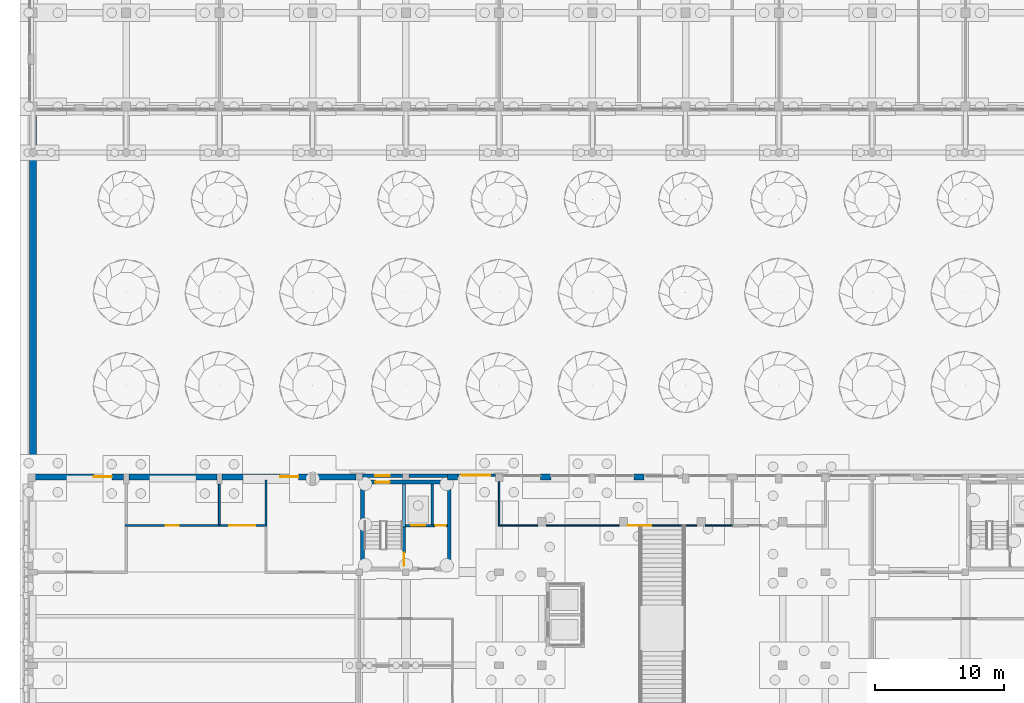
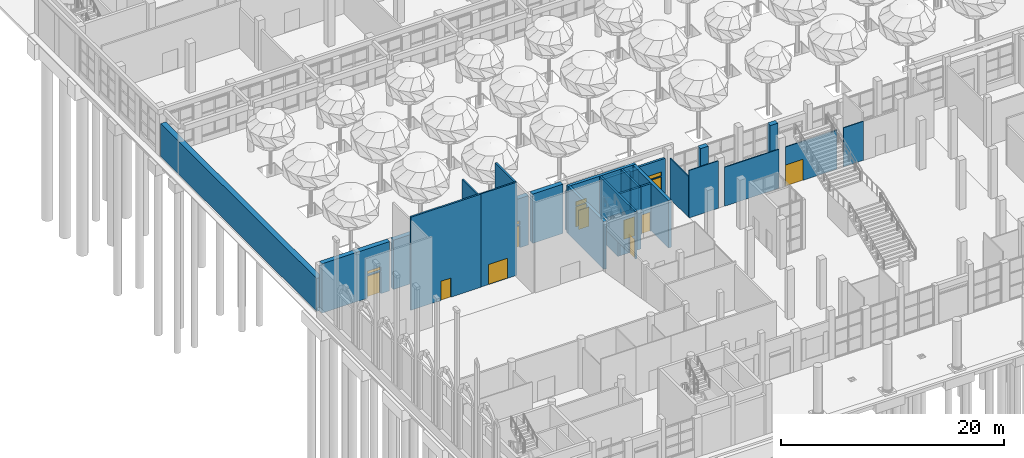
# One storey, part 43 of 80: 28 walls, 11 doors, 4 windows, 15 openings.
"""IFC4 building model written with IfcOpenShell, lengths in metres."""

from ifc_helpers import new_model, si_unit, direction, frame, frame_2d, origin, place, context, subcontext, project, spatial, rectangle, extrude, material, layer, layer_set, type_object, element, fill, save


model = new_model("IFC4")

# Units and contexts
model_context = context("Model", 3, precision=1e-05, world=origin(), true_north=direction((0.0, 1.0)))
body_context = subcontext(model_context, "Body", "Model", "MODEL_VIEW")
ifc_project = project(units=[si_unit("LENGTHUNIT", "METRE"), si_unit("AREAUNIT", "SQUARE_METRE"), si_unit("VOLUMEUNIT", "CUBIC_METRE"), si_unit("PLANEANGLEUNIT", "RADIAN"), si_unit("MASSUNIT", "GRAM", prefix="KILO")], contexts=[model_context])

# Site, building, storey
site_placement = place(None, origin())
site = spatial("IfcSite", under=ifc_project, at=site_placement, CompositionType="ELEMENT")
building_placement = place(site_placement, origin())
building = spatial("IfcBuilding", under=site, at=building_placement, Name="Ussher Court Research Institute", CompositionType="ELEMENT")
storey_placement = place(building_placement, origin())
storey = spatial("IfcBuildingStorey", under=building, at=storey_placement, Name="L00", CompositionType="ELEMENT", Elevation=0.0)

# Wall, opening, door
ifc_material_1 = material(Name="Plasterboard on steel studs with mineral wool", Category="steel")
ifc_layer_1 = layer(ifc_material_1, 0.179931640625)
ifc_layer_set_1 = layer_set([ifc_layer_1], Name="Plasterboard on steel studs with mineral wool")
wall_type_1 = type_object("IfcWallType", Name="Acoustic twin-stud partition 180", PredefinedType="PARTITIONING", material=ifc_layer_set_1)
wall_1_placement = place(storey_placement, frame((10.110107421875, 36.39990234375, 0.0), z_axis=(0.0, 0.0, 1.0), x_axis=(1.0, 0.0, 0.0)))
wall_1 = element("IfcWall", 1, at=wall_1_placement, inside=storey, type_object=wall_type_1, Name="Partition", PredefinedType="PARTITIONING", context=body_context, shape_type="SweptSolid", body=[
    extrude(rectangle(XDim=7.289794921875, YDim=0.179931640625, at=frame_2d((3.64501953125, 0.0))), origin(), (0.0, 0.0, 1.0), 10.199951171875),
])
opening_1_placement = place(wall_1_placement, frame((3.139892578125, 0.0, 0.0)))
opening_1 = element("IfcOpeningElement", 2, at=opening_1_placement, cuts=wall_1, Name="Opening D00014", PredefinedType="OPENING", context=body_context, shape_type="SweptSolid", body=[
    extrude(rectangle(XDim=1.0, YDim=2.10009765625, at=frame_2d((0.5, 1.050048828125))), frame((0.0, 0.10009765625, 0.0), z_axis=(0.0, -1.0, 0.0), x_axis=(1.0, 0.0, 0.0)), (0.0, 0.0, 1.0), 0.199951171875),
])
ifc_material_2 = material(Name="Veneered timber door", Category="wood")
door_type_1 = type_object("IfcDoorType", Name="Lounge door 1000x2100", OperationType="NOTDEFINED", PredefinedType="DOOR", material=ifc_material_2)
door_1_placement = place(opening_1_placement, origin())
door_1 = element("IfcDoor", 3, at=door_1_placement, inside=storey, type_object=door_type_1, Name="Door D00014", OperationType="SINGLE_SWING_LEFT", OverallHeight=2.10009765625, OverallWidth=1.0, PredefinedType="DOOR", context=body_context, shape_type="SweptSolid", body=[
    extrude(rectangle(XDim=1.0, YDim=2.10009765625, at=frame_2d((0.5, 1.050048828125))), frame((0.0, 0.02490234375, 0.0), z_axis=(0.0, -1.0, 0.0), x_axis=(1.0, 0.0, 0.0)), (0.0, 0.0, 1.0), 0.050048828125),
])
fill(opening_1, door_1)

# Wall
ifc_material_3 = material(Name="Limestone facing on blockwork", Category="masonry")
ifc_layer_2 = layer(ifc_material_3, 0.550048828125)
ifc_layer_set_2 = layer_set([ifc_layer_2], Name="Limestone facing on blockwork")
wall_type_2 = type_object("IfcWallType", Name="Boundary wall 550 limestone", PredefinedType="SOLIDWALL", material=ifc_layer_set_2)
wall_2_placement = place(storey_placement, frame((3.0, 40.39990234375, 0.0), z_axis=(0.0, 0.0, 1.0), x_axis=(0.0, 1.0, 0.0)))
element("IfcWall", 4, at=wall_2_placement, inside=storey, type_object=wall_type_2, Name="Boundary wall BW1", PredefinedType="SOLIDWALL", context=body_context, shape_type="SweptSolid", body=[
    extrude(rectangle(XDim=28.0, YDim=0.550048828125, at=frame_2d((14.0, 0.0))), origin(), (0.0, 0.0, 1.0), 3.60009765625),
])

# Wall, openings, door, window
ifc_material_4 = material(Name="Limestone facing on blockwork", Category="masonry")
ifc_layer_3 = layer(ifc_material_4, 0.300048828125)
ifc_layer_set_3 = layer_set([ifc_layer_3], Name="Limestone facing on blockwork")
wall_type_3 = type_object("IfcWallType", Name="External wall 300 stair enclosure", PredefinedType="SOLIDWALL", material=ifc_layer_set_3)
wall_3_placement = place(storey_placement, frame((28.449951171875, 40.25, 0.0), z_axis=(0.0, 0.0, 1.0), x_axis=(1.0, 0.0, 0.0)))
wall_3 = element("IfcWall", 5, at=wall_3_placement, inside=storey, type_object=wall_type_3, Name="External wall EW5 L00", PredefinedType="SOLIDWALL", context=body_context, shape_type="SweptSolid", body=[
    extrude(rectangle(XDim=3.10009765625, YDim=0.300048828125, at=frame_2d((1.550048828125, 0.0))), origin(), (0.0, 0.0, 1.0), 4.300048828125),
])
opening_2_placement = place(wall_3_placement, frame((1.0, 0.0, 0.0)))
opening_2 = element("IfcOpeningElement", 6, at=opening_2_placement, cuts=wall_3, Name="Opening DX24", PredefinedType="OPENING", context=body_context, shape_type="SweptSolid", body=[
    extrude(rectangle(XDim=1.10009765625, YDim=2.199951171875, at=frame_2d((0.550048828125, 1.10009765625))), frame((0.0, 0.16015625, 0.0), z_axis=(0.0, -1.0, 0.0), x_axis=(1.0, 0.0, 0.0)), (0.0, 0.0, 1.0), 0.320068359375),
])
opening_3_placement = place(wall_3_placement, frame((1.0, 0.0, 2.300048828125)))
opening_3 = element("IfcOpeningElement", 7, at=opening_3_placement, cuts=wall_3, Name="Opening W18", PredefinedType="OPENING", context=body_context, shape_type="SweptSolid", body=[
    extrude(rectangle(XDim=1.10009765625, YDim=0.449951171875, at=frame_2d((0.550048828125, 0.22509765625))), frame((0.0, 0.16015625, 0.0), z_axis=(0.0, -1.0, 0.0), x_axis=(1.0, 0.0, 0.0)), (0.0, 0.0, 1.0), 0.320068359375),
])
ifc_material_5 = material(Name="Painted steel", Category="steel")
door_type_2 = type_object("IfcDoorType", Name="Stair discharge door 1100x2200", OperationType="SINGLE_SWING_LEFT", PredefinedType="DOOR", material=ifc_material_5)
door_2_placement = place(opening_2_placement, origin())
door_2 = element("IfcDoor", 8, at=door_2_placement, inside=storey, type_object=door_type_2, Name="Door DX24", OperationType="SINGLE_SWING_LEFT", OverallHeight=2.199951171875, OverallWidth=1.10009765625, PredefinedType="DOOR", context=body_context, shape_type="SweptSolid", body=[
    extrude(rectangle(XDim=1.10009765625, YDim=2.199951171875, at=frame_2d((0.550048828125, 1.10009765625))), frame((0.0, 0.02490234375, 0.0), z_axis=(0.0, -1.0, 0.0), x_axis=(1.0, 0.0, 0.0)), (0.0, 0.0, 1.0), 0.050048828125),
])
fill(opening_2, door_2)
ifc_material_6 = material(Name="Bronze anodised aluminium with double glazing", Category="aluminium")
window_type_1 = type_object("IfcWindowType", Name="Stair discharge transom light 1100x450", PartitioningType="SINGLE_PANEL", PredefinedType="WINDOW", material=ifc_material_6)
window_1_placement = place(opening_3_placement, origin())
window_1 = element("IfcWindow", 9, at=window_1_placement, inside=storey, type_object=window_type_1, Name="Window W18 L00", OverallHeight=0.449951171875, OverallWidth=1.10009765625, PartitioningType="SINGLE_PANEL", PredefinedType="WINDOW", context=body_context, shape_type="SweptSolid", body=[
    extrude(rectangle(XDim=1.10009765625, YDim=0.449951171875, at=frame_2d((0.550048828125, 0.22509765625))), frame((0.0, 0.030029296875, 0.0), z_axis=(0.0, -1.0, 0.0), x_axis=(1.0, 0.0, 0.0)), (0.0, 0.0, 1.0), 0.06005859375),
])
fill(opening_3, window_1)

# Wall
wall_4_placement = place(storey_placement, frame((32.050048828125, 40.25, 0.0), z_axis=(0.0, 0.0, 1.0), x_axis=(1.0, 0.0, 0.0)))
element("IfcWall", 10, at=wall_4_placement, inside=storey, type_object=wall_type_3, Name="External wall EW5 L00", PredefinedType="SOLIDWALL", context=body_context, shape_type="SweptSolid", body=[
    extrude(rectangle(XDim=2.949951171875, YDim=0.300048828125, at=frame_2d((1.47509765625, 0.0))), origin(), (0.0, 0.0, 1.0), 4.300048828125),
])

# Wall, opening, door
ifc_material_7 = material(Name="Plastered blockwork", Category="masonry")
ifc_layer_4 = layer(ifc_material_7, 0.14990234375)
ifc_layer_set_4 = layer_set([ifc_layer_4], Name="Plastered blockwork")
wall_type_4 = type_object("IfcWallType", Name="Fire partition blockwork 150 EI 60", PredefinedType="PARTITIONING", material=ifc_layer_set_4)
wall_5_placement = place(storey_placement, frame((17.39990234375, 36.39990234375, 0.0), z_axis=(0.0, 0.0, 1.0), x_axis=(1.0, 0.0, 0.0)))
wall_5 = element("IfcWall", 11, at=wall_5_placement, inside=storey, type_object=wall_type_4, Name="Fire partition", PredefinedType="PARTITIONING", context=body_context, shape_type="SweptSolid", body=[
    extrude(rectangle(XDim=3.690185546875, YDim=0.14990234375, at=frame_2d((1.84521484375, 0.0))), origin(), (0.0, 0.0, 1.0), 10.199951171875),
])
opening_4_placement = place(wall_5_placement, frame((0.75, 0.0, 0.0)))
opening_4 = element("IfcOpeningElement", 12, at=opening_4_placement, cuts=wall_5, Name="Opening D00016", PredefinedType="OPENING", context=body_context, shape_type="SweptSolid", body=[
    extrude(rectangle(XDim=2.0, YDim=2.199951171875, at=frame_2d((1.0, 1.10009765625))), frame((0.0, 0.0849609375, 0.0), z_axis=(0.0, -1.0, 0.0), x_axis=(1.0, 0.0, 0.0)), (0.0, 0.0, 1.0), 0.169921875),
])
ifc_material_8 = material(Name="Painted steel faced fire door", Category="steel")
door_type_3 = type_object("IfcDoorType", Name="Stage and goods door 2000x2200 FD60 double leaf", OperationType="DOUBLE_DOOR_SINGLE_SWING", PredefinedType="DOOR", material=ifc_material_8)
door_3_placement = place(opening_4_placement, origin())
door_3 = element("IfcDoor", 13, at=door_3_placement, inside=storey, type_object=door_type_3, Name="Door D00016", OperationType="SINGLE_SWING_LEFT", OverallHeight=2.199951171875, OverallWidth=2.0, PredefinedType="DOOR", context=body_context, shape_type="SweptSolid", body=[
    extrude(rectangle(XDim=2.0, YDim=2.199951171875, at=frame_2d((1.0, 1.10009765625))), frame((0.0, 0.02490234375, 0.0), z_axis=(0.0, -1.0, 0.0), x_axis=(1.0, 0.0, 0.0)), (0.0, 0.0, 1.0), 0.050048828125),
])
fill(opening_4, door_3)

# Wall
wall_6_placement = place(storey_placement, frame((17.39990234375, 36.47509765625, 0.0), z_axis=(0.0, 0.0, 1.0), x_axis=(0.0, 1.0, 0.0)))
element("IfcWall", 14, at=wall_6_placement, inside=storey, type_object=wall_type_4, Name="Fire partition", PredefinedType="PARTITIONING", context=body_context, shape_type="SweptSolid", body=[
    extrude(rectangle(XDim=3.125, YDim=0.14990234375, at=frame_2d((1.5625, 0.0))), origin(), (0.0, 0.0, 1.0), 9.826171875),
])

# Wall, openings, door, window
ifc_material_9 = material(Name="Limestone facing on insulated blockwork", Category="masonry")
ifc_layer_5 = layer(ifc_material_9, 0.219970703125)
ifc_layer_set_5 = layer_set([ifc_layer_5], Name="Limestone facing on insulated blockwork")
wall_type_5 = type_object("IfcWallType", Name="Link wall 220 limestone faced insulated block", PredefinedType="SOLIDWALL", material=ifc_layer_set_5)
wall_7_placement = place(storey_placement, frame((35.800048828125, 40.2900390625, 0.0), z_axis=(0.0, 0.0, 1.0), x_axis=(1.0, 0.0, 0.0)))
wall_7 = element("IfcWall", 15, at=wall_7_placement, inside=storey, type_object=wall_type_5, Name="External wall EW6 L00", PredefinedType="SOLIDWALL", context=body_context, shape_type="SweptSolid", body=[
    extrude(rectangle(XDim=2.89990234375, YDim=0.219970703125, at=frame_2d((1.449951171875, 0.0))), origin(), (0.0, 0.0, 1.0), 4.300048828125),
])
opening_5_placement = place(wall_7_placement, frame((0.300048828125, 0.0, 0.0)))
opening_5 = element("IfcOpeningElement", 16, at=opening_5_placement, cuts=wall_7, Name="Opening DX25", PredefinedType="OPENING", context=body_context, shape_type="SweptSolid", body=[
    extrude(rectangle(XDim=2.199951171875, YDim=2.39990234375, at=frame_2d((1.10009765625, 1.199951171875))), frame((0.0, 0.1201171875, 0.0), z_axis=(0.0, -1.0, 0.0), x_axis=(1.0, 0.0, 0.0)), (0.0, 0.0, 1.0), 0.239990234375),
])
opening_6_placement = place(wall_7_placement, frame((0.300048828125, 0.0, 2.5)))
opening_6 = element("IfcOpeningElement", 17, at=opening_6_placement, cuts=wall_7, Name="Opening W22", PredefinedType="OPENING", context=body_context, shape_type="SweptSolid", body=[
    extrude(rectangle(XDim=2.199951171875, YDim=0.449951171875, at=frame_2d((1.10009765625, 0.22509765625))), frame((0.0, 0.1201171875, 0.0), z_axis=(0.0, -1.0, 0.0), x_axis=(1.0, 0.0, 0.0)), (0.0, 0.0, 1.0), 0.239990234375),
])
ifc_material_10 = material(Name="Bronze anodised aluminium with toughened glass", Category="aluminium")
door_type_4 = type_object("IfcDoorType", Name="Reading link entrance double door 2200x2400", OperationType="DOUBLE_DOOR_SINGLE_SWING", PredefinedType="DOOR", material=ifc_material_10)
door_4_placement = place(opening_5_placement, origin())
door_4 = element("IfcDoor", 18, at=door_4_placement, inside=storey, type_object=door_type_4, Name="Door DX25", OperationType="SINGLE_SWING_LEFT", OverallHeight=2.39990234375, OverallWidth=2.199951171875, PredefinedType="DOOR", context=body_context, shape_type="SweptSolid", body=[
    extrude(rectangle(XDim=2.199951171875, YDim=2.39990234375, at=frame_2d((1.10009765625, 1.199951171875))), frame((0.0, 0.02490234375, 0.0), z_axis=(0.0, -1.0, 0.0), x_axis=(1.0, 0.0, 0.0)), (0.0, 0.0, 1.0), 0.050048828125),
])
fill(opening_5, door_4)
ifc_material_11 = material(Name="Bronze anodised aluminium with double glazing", Category="aluminium")
window_type_2 = type_object("IfcWindowType", Name="Reading link entrance transom light 2200x450", PartitioningType="SINGLE_PANEL", PredefinedType="WINDOW", material=ifc_material_11)
window_2_placement = place(opening_6_placement, origin())
window_2 = element("IfcWindow", 19, at=window_2_placement, inside=storey, type_object=window_type_2, Name="Window W22 L00", OverallHeight=0.449951171875, OverallWidth=2.199951171875, PartitioningType="SINGLE_PANEL", PredefinedType="WINDOW", context=body_context, shape_type="SweptSolid", body=[
    extrude(rectangle(XDim=2.199951171875, YDim=0.449951171875, at=frame_2d((1.10009765625, 0.22509765625))), frame((0.0, 0.030029296875, 0.0), z_axis=(0.0, -1.0, 0.0), x_axis=(1.0, 0.0, 0.0)), (0.0, 0.0, 1.0), 0.06005859375),
])
fill(opening_6, window_2)

# Walls
ifc_material_12 = material(Name="Plastered blockwork", Category="masonry")
ifc_layer_6 = layer(ifc_material_12, 0.10009765625)
ifc_layer_set_6 = layer_set([ifc_layer_6], Name="Plastered blockwork")
wall_type_6 = type_object("IfcWallType", Name="Partition plastered blockwork 100", PredefinedType="PARTITIONING", material=ifc_layer_set_6)
wall_8_placement = place(storey_placement, frame((38.949951171875, 36.39990234375, 0.0), z_axis=(0.0, 0.0, 1.0), x_axis=(1.0, 0.0, 0.0)))
element("IfcWall", 20, at=wall_8_placement, inside=storey, type_object=wall_type_6, Name="Partition", PredefinedType="PARTITIONING", context=body_context, shape_type="SweptSolid", body=[
    extrude(rectangle(XDim=3.025146484375, YDim=0.10009765625, at=frame_2d((1.5126953125, 0.0))), origin(), (0.0, 0.0, 1.0), 5.199951171875),
])
wall_9_placement = place(storey_placement, frame((42.625, 36.39990234375, 0.0), z_axis=(0.0, 0.0, 1.0), x_axis=(1.0, 0.0, 0.0)))
element("IfcWall", 21, at=wall_9_placement, inside=storey, type_object=wall_type_6, Name="Partition", PredefinedType="PARTITIONING", context=body_context, shape_type="SweptSolid", body=[
    extrude(rectangle(XDim=5.64990234375, YDim=0.10009765625, at=frame_2d((2.824951171875, 0.0))), origin(), (0.0, 0.0, 1.0), 4.27001953125),
])

# Wall, opening, door
wall_10_placement = place(storey_placement, frame((54.27490234375, 36.39990234375, 0.0), z_axis=(0.0, 0.0, 1.0), x_axis=(-1.0, 0.0, 0.0)))
wall_10 = element("IfcWall", 22, at=wall_10_placement, inside=storey, type_object=wall_type_6, Name="Partition", PredefinedType="PARTITIONING", context=body_context, shape_type="SweptSolid", body=[
    extrude(rectangle(XDim=5.349853515625, YDim=0.10009765625, at=frame_2d((2.6748046875, 0.0))), origin(), (0.0, 0.0, 1.0), 4.27001953125),
])
opening_7_placement = place(wall_10_placement, frame((3.52490234375, 0.0, 0.0)))
opening_7 = element("IfcOpeningElement", 23, at=opening_7_placement, cuts=wall_10, Name="Opening D00042", PredefinedType="OPENING", context=body_context, shape_type="SweptSolid", body=[
    extrude(rectangle(XDim=1.800048828125, YDim=2.300048828125, at=frame_2d((0.89990234375, 1.14990234375))), frame((0.0, 0.06005859375, 0.0), z_axis=(0.0, -1.0, 0.0), x_axis=(1.0, 0.0, 0.0)), (0.0, 0.0, 1.0), 0.1201171875),
])
ifc_material_13 = material(Name="Veneered timber door", Category="wood")
door_type_5 = type_object("IfcDoorType", Name="Exhibition door 1800x2300 double leaf", OperationType="DOUBLE_DOOR_SINGLE_SWING", PredefinedType="DOOR", material=ifc_material_13)
door_5_placement = place(opening_7_placement, origin())
door_5 = element("IfcDoor", 24, at=door_5_placement, inside=storey, type_object=door_type_5, Name="Door D00042", OperationType="SINGLE_SWING_LEFT", OverallHeight=2.300048828125, OverallWidth=1.800048828125, PredefinedType="DOOR", context=body_context, shape_type="SweptSolid", body=[
    extrude(rectangle(XDim=1.800048828125, YDim=2.300048828125, at=frame_2d((0.89990234375, 1.14990234375))), frame((0.0, 0.02490234375, 0.0), z_axis=(0.0, -1.0, 0.0), x_axis=(1.0, 0.0, 0.0)), (0.0, 0.0, 1.0), 0.050048828125),
])
fill(opening_7, door_5)

# Walls
wall_11_placement = place(storey_placement, frame((54.925048828125, 36.39990234375, 0.0), z_axis=(0.0, 0.0, 1.0), x_axis=(1.0, 0.0, 0.0)))
element("IfcWall", 25, at=wall_11_placement, inside=storey, type_object=wall_type_6, Name="Partition", PredefinedType="PARTITIONING", context=body_context, shape_type="SweptSolid", body=[
    extrude(rectangle(XDim=2.074951171875, YDim=0.10009765625, at=frame_2d((1.03759765625, 0.0))), origin(), (0.0, 0.0, 1.0), 4.27001953125),
])
wall_12_placement = place(storey_placement, frame((39.0, 36.449951171875, 0.0), z_axis=(0.0, 0.0, 1.0), x_axis=(0.0, 1.0, 0.0)))
element("IfcWall", 26, at=wall_12_placement, inside=storey, type_object=wall_type_6, Name="Partition", PredefinedType="PARTITIONING", context=body_context, shape_type="SweptSolid", body=[
    extrude(rectangle(XDim=3.35009765625, YDim=0.10009765625, at=frame_2d((1.675048828125, 0.0))), origin(), (0.0, 0.0, 1.0), 4.469970703125),
])
ifc_material_14 = material(Name="Rusticated limestone facing on blockwork", Category="masonry")
ifc_layer_7 = layer(ifc_material_14, 0.5)
ifc_layer_set_7 = layer_set([ifc_layer_7], Name="Rusticated limestone facing on blockwork")
wall_type_7 = type_object("IfcWallType", Name="Pier 800x500 rusticated limestone", PredefinedType="SOLIDWALL", material=ifc_layer_set_7)
for number, where, z_axis, x_axis, name in (
    (27, (35.0, 40.14990234375, 0.0), (0.0, 0.0, 1.0), (1.0, 0.0, 0.0), "Pier PR2 L00"),
    (28, (42.199951171875, 40.14990234375, 0.0), (0.0, 0.0, 1.0), (1.0, 0.0, 0.0), "Pier PR2 L00"),
    (29, (49.39990234375, 40.14990234375, 0.0), (0.0, 0.0, 1.0), (1.0, 0.0, 0.0), "Pier PR2 L00"),
):
    element("IfcWall", number, at=place(storey_placement, frame(where, z_axis=z_axis, x_axis=x_axis)), inside=storey, type_object=wall_type_7, Name=name, PredefinedType="SOLIDWALL", context=body_context, shape_type="SweptSolid", body=[
        extrude(rectangle(XDim=0.800048828125, YDim=0.5, at=frame_2d((0.39990234375, 0.0))), origin(), (0.0, 0.0, 1.0), 4.300048828125),
    ])

# Wall, opening, door
ifc_material_15 = material(Name="Concrete C35/45", Category="concrete")
ifc_layer_8 = layer(ifc_material_15, 0.199951171875)
ifc_layer_set_8 = layer_set([ifc_layer_8], Name="Concrete C35/45")
wall_type_8 = type_object("IfcWallType", Name="RC core wall 200", PredefinedType="SHEAR", material=ifc_layer_set_8)
wall_13_placement = place(storey_placement, frame((31.64990234375, 39.60009765625, 0.0), z_axis=(0.0, 0.0, 1.0), x_axis=(0.0, -1.0, 0.0)))
wall_13 = element("IfcWall", 30, at=wall_13_placement, inside=storey, type_object=wall_type_8, Name="Core wall W1", PredefinedType="SHEAR", context=body_context, shape_type="SweptSolid", body=[
    extrude(rectangle(XDim=6.400146484375, YDim=0.199951171875, at=frame_2d((3.2001953125, 0.0))), origin(), (0.0, 0.0, 1.0), 5.199951171875),
])
opening_8_placement = place(wall_13_placement, frame((5.300048828125, 0.0, 0.0)))
opening_8 = element("IfcOpeningElement", 31, at=opening_8_placement, cuts=wall_13, Name="Opening D00029", PredefinedType="OPENING", context=body_context, shape_type="SweptSolid", body=[
    extrude(rectangle(XDim=1.0, YDim=2.10009765625, at=frame_2d((0.5, 1.050048828125))), frame((0.0, 0.10986328125, 0.0), z_axis=(0.0, -1.0, 0.0), x_axis=(1.0, 0.0, 0.0)), (0.0, 0.0, 1.0), 0.219970703125),
])
ifc_material_16 = material(Name="Painted steel faced fire door", Category="steel")
door_type_6 = type_object("IfcDoorType", Name="Fire door 1000x2100 FD60", OperationType="NOTDEFINED", PredefinedType="DOOR", material=ifc_material_16)
door_6_placement = place(opening_8_placement, origin())
door_6 = element("IfcDoor", 32, at=door_6_placement, inside=storey, type_object=door_type_6, Name="Door D00029", OperationType="SINGLE_SWING_RIGHT", OverallHeight=2.10009765625, OverallWidth=1.0, PredefinedType="DOOR", context=body_context, shape_type="SweptSolid", body=[
    extrude(rectangle(XDim=1.0, YDim=2.10009765625, at=frame_2d((0.5, 1.050048828125))), frame((0.0, 0.02490234375, 0.0), z_axis=(0.0, -1.0, 0.0), x_axis=(1.0, 0.0, 0.0)), (0.0, 0.0, 1.0), 0.050048828125),
])
fill(opening_8, door_6)

# Wall
wall_14_placement = place(storey_placement, frame((31.64990234375, 36.300048828125, -1.60009765625), z_axis=(0.0, 0.0, 1.0), x_axis=(0.0, 1.0, 0.0)))
element("IfcWall", 33, at=wall_14_placement, inside=storey, type_object=wall_type_8, Name="Pit wall W1", PredefinedType="SHEAR", context=body_context, shape_type="SweptSolid", body=[
    extrude(rectangle(XDim=3.300048828125, YDim=0.199951171875, at=frame_2d((1.64990234375, 0.0))), origin(), (0.0, 0.0, 1.0), 1.60009765625),
])

# Wall, opening, door
wall_15_placement = place(storey_placement, frame((33.949951171875, 36.39990234375, -1.60009765625), z_axis=(0.0, 0.0, 1.0), x_axis=(-1.0, 0.0, 0.0)))
wall_15 = element("IfcWall", 34, at=wall_15_placement, inside=storey, type_object=wall_type_8, Name="Core wall W1", PredefinedType="SHEAR", context=body_context, shape_type="SweptSolid", body=[
    extrude(rectangle(XDim=2.199951171875, YDim=0.199951171875, at=frame_2d((1.10009765625, 0.0))), origin(), (0.0, 0.0, 1.0), 6.800048828125),
])
opening_9_placement = place(wall_15_placement, frame((0.64990234375, 0.0, 1.60009765625)))
opening_9 = element("IfcOpeningElement", 35, at=opening_9_placement, cuts=wall_15, Name="Opening LD03", PredefinedType="OPENING", context=body_context, shape_type="SweptSolid", body=[
    extrude(rectangle(XDim=1.10009765625, YDim=2.10009765625, at=frame_2d((0.550048828125, 1.050048828125))), frame((0.0, 0.10986328125, 0.0), z_axis=(0.0, -1.0, 0.0), x_axis=(1.0, 0.0, 0.0)), (0.0, 0.0, 1.0), 0.219970703125),
])
ifc_material_17 = material(Name="Stainless steel lift door", Category="steel")
door_type_7 = type_object("IfcDoorType", Name="Lift landing door 1100x2100 sliding", OperationType="DOUBLE_DOOR_SLIDING", PredefinedType="DOOR", material=ifc_material_17)
door_7_placement = place(opening_9_placement, origin())
door_7 = element("IfcDoor", 36, at=door_7_placement, inside=storey, type_object=door_type_7, Name="Landing door W1-1 L00", OperationType="DOUBLE_DOOR_SLIDING", OverallHeight=2.10009765625, OverallWidth=1.10009765625, PredefinedType="DOOR", context=body_context, shape_type="SweptSolid", body=[
    extrude(rectangle(XDim=1.10009765625, YDim=2.10009765625, at=frame_2d((0.550048828125, 1.050048828125))), frame((0.0, 0.02490234375, 0.0), z_axis=(0.0, -1.0, 0.0), x_axis=(1.0, 0.0, 0.0)), (0.0, 0.0, 1.0), 0.050048828125),
])
fill(opening_9, door_7)

wall_16_placement = place(storey_placement, frame((35.0, 36.39990234375, 0.0), z_axis=(0.0, 0.0, 1.0), x_axis=(-1.0, 0.0, 0.0)))
wall_16 = element("IfcWall", 37, at=wall_16_placement, inside=storey, type_object=wall_type_8, Name="Core wall W1", PredefinedType="SHEAR", context=body_context, shape_type="SweptSolid", body=[
    extrude(rectangle(XDim=1.050048828125, YDim=0.199951171875, at=frame_2d((0.52490234375, 0.0))), origin(), (0.0, 0.0, 1.0), 5.199951171875),
])
opening_10_placement = place(wall_16_placement, frame((0.10009765625, 0.0, 0.0)))
opening_10 = element("IfcOpeningElement", 38, at=opening_10_placement, cuts=wall_16, Name="Opening D00034", PredefinedType="OPENING", context=body_context, shape_type="SweptSolid", body=[
    extrude(rectangle(XDim=0.85009765625, YDim=2.10009765625, at=frame_2d((0.425048828125, 1.050048828125))), frame((0.0, 0.10986328125, 0.0), z_axis=(0.0, -1.0, 0.0), x_axis=(1.0, 0.0, 0.0)), (0.0, 0.0, 1.0), 0.219970703125),
])
ifc_material_18 = material(Name="Painted steel faced fire door", Category="steel")
door_type_8 = type_object("IfcDoorType", Name="Fire door 850x2100 FD60", OperationType="NOTDEFINED", PredefinedType="DOOR", material=ifc_material_18)
door_8_placement = place(opening_10_placement, origin())
door_8 = element("IfcDoor", 39, at=door_8_placement, inside=storey, type_object=door_type_8, Name="Door D00034", OperationType="SINGLE_SWING_LEFT", OverallHeight=2.10009765625, OverallWidth=0.85009765625, PredefinedType="DOOR", context=body_context, shape_type="SweptSolid", body=[
    extrude(rectangle(XDim=0.85009765625, YDim=2.10009765625, at=frame_2d((0.425048828125, 1.050048828125))), frame((0.0, 0.02490234375, 0.0), z_axis=(0.0, -1.0, 0.0), x_axis=(1.0, 0.0, 0.0)), (0.0, 0.0, 1.0), 0.050048828125),
])
fill(opening_10, door_8)

# Wall
wall_17_placement = place(storey_placement, frame((33.85009765625, 36.5, -1.60009765625), z_axis=(0.0, 0.0, 1.0), x_axis=(0.0, 1.0, 0.0)))
element("IfcWall", 40, at=wall_17_placement, inside=storey, type_object=wall_type_8, Name="Core wall W1", PredefinedType="SHEAR", context=body_context, shape_type="SweptSolid", body=[
    extrude(rectangle(XDim=3.10009765625, YDim=0.199951171875, at=frame_2d((1.550048828125, 0.0))), origin(), (0.0, 0.0, 1.0), 6.800048828125),
])

# Wall, opening, door
ifc_material_19 = material(Name="Concrete C35/45", Category="concrete")
ifc_layer_9 = layer(ifc_material_19, 0.300048828125)
ifc_layer_set_9 = layer_set([ifc_layer_9], Name="Concrete C35/45")
wall_type_9 = type_object("IfcWallType", Name="RC core wall 300", PredefinedType="SHEAR", material=ifc_layer_set_9)
wall_18_placement = place(storey_placement, frame((28.300048828125, 39.75, 0.0), z_axis=(0.0, 0.0, 1.0), x_axis=(1.0, 0.0, 0.0)))
wall_18 = element("IfcWall", 41, at=wall_18_placement, inside=storey, type_object=wall_type_9, Name="Core wall W1", PredefinedType="SHEAR", context=body_context, shape_type="SweptSolid", body=[
    extrude(rectangle(XDim=7.0, YDim=0.300048828125, at=frame_2d((3.5, 0.0))), origin(), (0.0, 0.0, 1.0), 5.199951171875),
])
opening_11_placement = place(wall_18_placement, frame((1.14990234375, 0.0, 0.0)))
opening_11 = element("IfcOpeningElement", 42, at=opening_11_placement, cuts=wall_18, Name="Opening D00028", PredefinedType="OPENING", context=body_context, shape_type="SweptSolid", body=[
    extrude(rectangle(XDim=1.10009765625, YDim=2.10009765625, at=frame_2d((0.550048828125, 1.050048828125))), frame((0.0, 0.16015625, 0.0), z_axis=(0.0, -1.0, 0.0), x_axis=(1.0, 0.0, 0.0)), (0.0, 0.0, 1.0), 0.320068359375),
])
ifc_material_20 = material(Name="Painted steel faced fire door", Category="steel")
door_type_9 = type_object("IfcDoorType", Name="Fire door 1100x2100 FD60", OperationType="NOTDEFINED", PredefinedType="DOOR", material=ifc_material_20)
door_9_placement = place(opening_11_placement, origin())
door_9 = element("IfcDoor", 43, at=door_9_placement, inside=storey, type_object=door_type_9, Name="Door D00028", OperationType="SINGLE_SWING_LEFT", OverallHeight=2.10009765625, OverallWidth=1.10009765625, PredefinedType="DOOR", context=body_context, shape_type="SweptSolid", body=[
    extrude(rectangle(XDim=1.10009765625, YDim=2.10009765625, at=frame_2d((0.550048828125, 1.050048828125))), frame((0.0, 0.02490234375, 0.0), z_axis=(0.0, -1.0, 0.0), x_axis=(1.0, 0.0, 0.0)), (0.0, 0.0, 1.0), 0.050048828125),
])
fill(opening_11, door_9)

# Walls
for number, where, z_axis, x_axis, name in (
    (44, (28.449951171875, 33.199951171875, 0.0), (0.0, 0.0, 1.0), (0.0, 1.0, 0.0), "Core wall W1"),
    (45, (35.14990234375, 33.199951171875, 0.0), (0.0, 0.0, 1.0), (0.0, 1.0, 0.0), "Core wall W1"),
):
    element("IfcWall", number, at=place(storey_placement, frame(where, z_axis=z_axis, x_axis=x_axis)), inside=storey, type_object=wall_type_9, Name=name, PredefinedType="SHEAR", context=body_context, shape_type="SweptSolid", body=[
        extrude(rectangle(XDim=6.400146484375, YDim=0.300048828125, at=frame_2d((3.2001953125, 0.0))), origin(), (0.0, 0.0, 1.0), 5.199951171875),
    ])

# Wall, openings, door, window
ifc_material_21 = material(Name="Concrete C35/45", Category="concrete")
ifc_layer_10 = layer(ifc_material_21, 0.47998046875)
ifc_layer_set_10 = layer_set([ifc_layer_10], Name="Concrete C35/45")
wall_type_10 = type_object("IfcWallType", Name="Stage house wall 480 reinforced concrete limestone faced", PredefinedType="SOLIDWALL", material=ifc_layer_set_10)
wall_19_placement = place(storey_placement, frame((3.0, 40.159912109375, 0.0), z_axis=(0.0, 0.0, 1.0), x_axis=(1.0, 0.0, 0.0)))
wall_19 = element("IfcWall", 46, at=wall_19_placement, inside=storey, type_object=wall_type_10, Name="RC wall RW3 north", PredefinedType="SOLIDWALL", context=body_context, shape_type="SweptSolid", body=[
    extrude(rectangle(XDim=7.0, YDim=0.47998046875, at=frame_2d((3.5, 0.0))), origin(), (0.0, 0.0, 1.0), 5.39990234375),
])
opening_12_placement = place(wall_19_placement, frame((4.699951171875, 0.0, 0.0)))
opening_12 = element("IfcOpeningElement", 47, at=opening_12_placement, cuts=wall_19, Name="Opening DX02", PredefinedType="OPENING", context=body_context, shape_type="SweptSolid", body=[
    extrude(rectangle(XDim=1.39990234375, YDim=2.39990234375, at=frame_2d((0.699951171875, 1.199951171875))), frame((0.0, 0.25, 0.0), z_axis=(0.0, -1.0, 0.0), x_axis=(1.0, 0.0, 0.0)), (0.0, 0.0, 1.0), 0.5),
])
opening_13_placement = place(wall_19_placement, frame((4.699951171875, 0.0, 2.5)))
opening_13 = element("IfcOpeningElement", 48, at=opening_13_placement, cuts=wall_19, Name="Opening W21", PredefinedType="OPENING", context=body_context, shape_type="SweptSolid", body=[
    extrude(rectangle(XDim=1.39990234375, YDim=0.449951171875, at=frame_2d((0.699951171875, 0.22509765625))), frame((0.0, 0.25, 0.0), z_axis=(0.0, -1.0, 0.0), x_axis=(1.0, 0.0, 0.0)), (0.0, 0.0, 1.0), 0.5),
])
ifc_material_22 = material(Name="Painted steel", Category="steel")
door_type_10 = type_object("IfcDoorType", Name="Stage exit double door 1400x2400", OperationType="DOUBLE_DOOR_SINGLE_SWING", PredefinedType="DOOR", material=ifc_material_22)
door_10_placement = place(opening_12_placement, origin())
door_10 = element("IfcDoor", 49, at=door_10_placement, inside=storey, type_object=door_type_10, Name="Door DX02", OperationType="SINGLE_SWING_LEFT", OverallHeight=2.39990234375, OverallWidth=1.39990234375, PredefinedType="DOOR", context=body_context, shape_type="SweptSolid", body=[
    extrude(rectangle(XDim=1.39990234375, YDim=2.39990234375, at=frame_2d((0.699951171875, 1.199951171875))), frame((0.0, 0.02490234375, 0.0), z_axis=(0.0, -1.0, 0.0), x_axis=(1.0, 0.0, 0.0)), (0.0, 0.0, 1.0), 0.050048828125),
])
fill(opening_12, door_10)
ifc_material_23 = material(Name="Bronze anodised aluminium with double glazing", Category="aluminium")
window_type_3 = type_object("IfcWindowType", Name="Stage exit transom light 1400x450", PartitioningType="SINGLE_PANEL", PredefinedType="WINDOW", material=ifc_material_23)
window_3_placement = place(opening_13_placement, origin())
window_3 = element("IfcWindow", 50, at=window_3_placement, inside=storey, type_object=window_type_3, Name="Window W21 L00", OverallHeight=0.449951171875, OverallWidth=1.39990234375, PartitioningType="SINGLE_PANEL", PredefinedType="WINDOW", context=body_context, shape_type="SweptSolid", body=[
    extrude(rectangle(XDim=1.39990234375, YDim=0.449951171875, at=frame_2d((0.699951171875, 0.22509765625))), frame((0.0, 0.030029296875, 0.0), z_axis=(0.0, -1.0, 0.0), x_axis=(1.0, 0.0, 0.0)), (0.0, 0.0, 1.0), 0.06005859375),
])
fill(opening_13, window_3)

# Wall
wall_20_placement = place(storey_placement, frame((10.39990234375, 40.159912109375, 0.0), z_axis=(0.0, 0.0, 1.0), x_axis=(1.0, 0.0, 0.0)))
element("IfcWall", 51, at=wall_20_placement, inside=storey, type_object=wall_type_10, Name="RC wall RW3 north", PredefinedType="SOLIDWALL", context=body_context, shape_type="SweptSolid", body=[
    extrude(rectangle(XDim=6.800048828125, YDim=0.47998046875, at=frame_2d((3.39990234375, 0.0))), origin(), (0.0, 0.0, 1.0), 5.39990234375),
])

# Wall, openings, door, window
wall_21_placement = place(storey_placement, frame((17.60009765625, 40.159912109375, 0.0), z_axis=(0.0, 0.0, 1.0), x_axis=(1.0, 0.0, 0.0)))
wall_21 = element("IfcWall", 52, at=wall_21_placement, inside=storey, type_object=wall_type_10, Name="RC wall RW3 north", PredefinedType="SOLIDWALL", context=body_context, shape_type="SweptSolid", body=[
    extrude(rectangle(XDim=6.7998046875, YDim=0.47998046875, at=frame_2d((3.39990234375, 0.0))), origin(), (0.0, 0.0, 1.0), 5.39990234375),
])
opening_14_placement = place(wall_21_placement, frame((4.5, 0.0, 0.0)))
opening_14 = element("IfcOpeningElement", 53, at=opening_14_placement, cuts=wall_21, Name="Opening DX03", PredefinedType="OPENING", context=body_context, shape_type="SweptSolid", body=[
    extrude(rectangle(XDim=1.39990234375, YDim=2.39990234375, at=frame_2d((0.699951171875, 1.199951171875))), frame((0.0, 0.25, 0.0), z_axis=(0.0, -1.0, 0.0), x_axis=(1.0, 0.0, 0.0)), (0.0, 0.0, 1.0), 0.5),
])
opening_15_placement = place(wall_21_placement, frame((4.5, 0.0, 2.5)))
opening_15 = element("IfcOpeningElement", 54, at=opening_15_placement, cuts=wall_21, Name="Opening W21", PredefinedType="OPENING", context=body_context, shape_type="SweptSolid", body=[
    extrude(rectangle(XDim=1.39990234375, YDim=0.449951171875, at=frame_2d((0.699951171875, 0.22509765625))), frame((0.0, 0.25, 0.0), z_axis=(0.0, -1.0, 0.0), x_axis=(1.0, 0.0, 0.0)), (0.0, 0.0, 1.0), 0.5),
])
door_11_placement = place(opening_14_placement, origin())
door_11 = element("IfcDoor", 55, at=door_11_placement, inside=storey, type_object=door_type_10, Name="Door DX03", OperationType="SINGLE_SWING_LEFT", OverallHeight=2.39990234375, OverallWidth=1.39990234375, PredefinedType="DOOR", context=body_context, shape_type="SweptSolid", body=[
    extrude(rectangle(XDim=1.39990234375, YDim=2.39990234375, at=frame_2d((0.699951171875, 1.199951171875))), frame((0.0, 0.02490234375, 0.0), z_axis=(0.0, -1.0, 0.0), x_axis=(1.0, 0.0, 0.0)), (0.0, 0.0, 1.0), 0.050048828125),
])
fill(opening_14, door_11)
window_4_placement = place(opening_15_placement, origin())
window_4 = element("IfcWindow", 56, at=window_4_placement, inside=storey, type_object=window_type_3, Name="Window W21 L00", OverallHeight=0.449951171875, OverallWidth=1.39990234375, PartitioningType="SINGLE_PANEL", PredefinedType="WINDOW", context=body_context, shape_type="SweptSolid", body=[
    extrude(rectangle(XDim=1.39990234375, YDim=0.449951171875, at=frame_2d((0.699951171875, 0.22509765625))), frame((0.0, 0.030029296875, 0.0), z_axis=(0.0, -1.0, 0.0), x_axis=(1.0, 0.0, 0.0)), (0.0, 0.0, 1.0), 0.06005859375),
])
fill(opening_15, window_4)

# Walls
wall_22_placement = place(storey_placement, frame((24.800048828125, 40.159912109375, 0.0), z_axis=(0.0, 0.0, 1.0), x_axis=(1.0, 0.0, 0.0)))
element("IfcWall", 57, at=wall_22_placement, inside=storey, type_object=wall_type_10, Name="RC wall RW3 north", PredefinedType="SOLIDWALL", context=body_context, shape_type="SweptSolid", body=[
    extrude(rectangle(XDim=3.14990234375, YDim=0.47998046875, at=frame_2d((1.574951171875, 0.0))), origin(), (0.0, 0.0, 1.0), 5.39990234375),
])
ifc_material_24 = material(Name="Plastered blockwork", Category="masonry")
ifc_layer_11 = layer(ifc_material_24, 0.179931640625)
ifc_layer_set_11 = layer_set([ifc_layer_11], Name="Plastered blockwork")
wall_type_11 = type_object("IfcWallType", Name="Workshop block 180 EI 60", PredefinedType="PARTITIONING", material=ifc_layer_set_11)
wall_23_placement = place(storey_placement, frame((21.0, 36.47509765625, 0.0), z_axis=(0.0, 0.0, 1.0), x_axis=(0.0, 1.0, 0.0)))
element("IfcWall", 58, at=wall_23_placement, inside=storey, type_object=wall_type_11, Name="Fire partition", PredefinedType="PARTITIONING", context=body_context, shape_type="SweptSolid", body=[
    extrude(rectangle(XDim=3.4248046875, YDim=0.179931640625, at=frame_2d((1.71240234375, 0.0))), origin(), (0.0, 0.0, 1.0), 10.199951171875),
])

save(model, "model.ifc")
